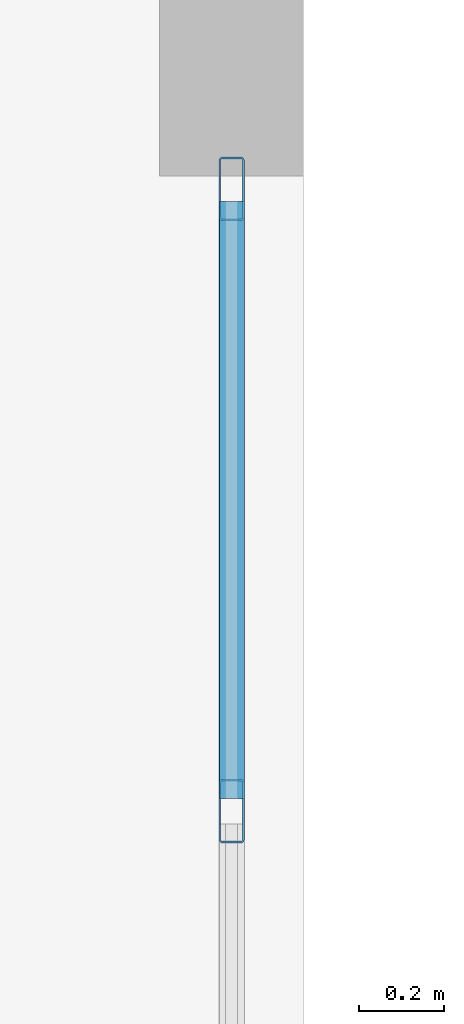
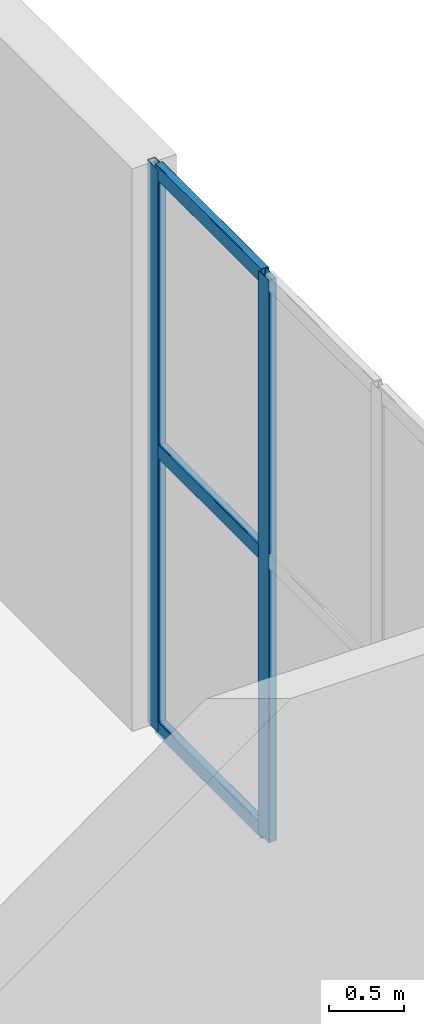
# One storey, part 5 of 16: 5 members, 1 element without a shape of its own.
"""IFC4 building model written with IfcOpenShell, lengths in metres."""

from ifc_helpers import new_model, entity, si_unit, converted_unit, direction, frame, origin_with_axes, origin_2d_with_axis, place, context, subcontext, project, spatial, hollow_rectangle, extrude, material, material_profile, profile_set, type_object, element, aggregate, save


model = new_model("IFC4")

# Units and contexts
model_context = context("Model", 3, precision=1e-05, world=origin_with_axes(), true_north=direction((0.0, 1.0)))
body_context = subcontext(model_context, "Body", "Model", "MODEL_VIEW")
ifc_project = project(units=[si_unit("LENGTHUNIT", "METRE"), si_unit("AREAUNIT", "SQUARE_METRE"), si_unit("VOLUMEUNIT", "CUBIC_METRE"), converted_unit("PLANEANGLEUNIT", "DEGREE", entity("IfcPlaneAngleMeasure", 0.017453292519943295), si_unit("PLANEANGLEUNIT", "RADIAN"), dimensions=[0, 0, 0, 0, 0, 0, 0]), si_unit("MASSUNIT", "GRAM", prefix="KILO"), si_unit("THERMODYNAMICTEMPERATUREUNIT", "KELVIN")], contexts=[model_context])

# Site, building, storey
site_placement = place(None, origin_with_axes())
site = spatial("IfcSite", under=ifc_project, at=site_placement, CompositionType="ELEMENT")
building_placement = place(site_placement, origin_with_axes())
building = spatial("IfcBuilding", under=site, at=building_placement, Name="Varnlund Millrace Tower", CompositionType="ELEMENT")
storey_placement = place(building_placement, frame((0.0, 0.0, 219.9), z_axis=(0.0, 0.0, 1.0), x_axis=(1.0, 0.0, 0.0)))
storey = spatial("IfcBuildingStorey", under=building, at=storey_placement, Name="L54", CompositionType="ELEMENT", Elevation=219.9)

# Curtain wall, members
ifc_material_1 = material(Name="Thermally broken architectural bronze curtain wall", Category="aluminium")
curtain_wall_type = type_object("IfcCurtainWallType", Name="Type-CW-Sys5-SkyLobby2Pool", PredefinedType="NOTDEFINED", material=ifc_material_1)
curtain_wall_placement = place(storey_placement, frame((32.23, 33.95, 0.0), z_axis=(0.0, 0.0, 1.0), x_axis=(1.0, 0.0, 0.0)))
curtain_wall = element("IfcCurtainWall", 1, at=curtain_wall_placement, inside=storey, type_object=curtain_wall_type, Name="Type-CW-Sys5-SkyLobby2Pool", PredefinedType="NOTDEFINED")
ifc_material_2 = material(Name="Architectural bronze aluminium alloy 6063-T6", Category="aluminium")
ifc_material_profile_1 = material_profile(ifc_material_2, hollow_rectangle(XDim=0.06, YDim=0.15, WallThickness=0.004, InnerFilletRadius=0.004, OuterFilletRadius=0.008, at=origin_2d_with_axis()), Name="Architectural bronze aluminium alloy 6063-T6")
ifc_profile_set_1 = profile_set([ifc_material_profile_1], Name="Architectural bronze aluminium alloy 6063-T6")
member_type_1 = type_object("IfcMemberType", Name="Type-CW-Mullion-60X150", PredefinedType="MULLION", material=ifc_profile_set_1)
member_1_placement = place(storey_placement, frame((32.23, 33.92, 0.0), z_axis=(0.0, 0.0, 1.0), x_axis=(1.0, 0.0, 0.0)))
member_1 = element("IfcMember", 2, at=member_1_placement, type_object=member_type_1, Name="CW-05 mullion 1", PredefinedType="MULLION", context=body_context, shape_type="SweptSolid", body=[
    extrude(hollow_rectangle(XDim=0.06, YDim=0.15, WallThickness=0.004, InnerFilletRadius=0.004, OuterFilletRadius=0.008, at=origin_2d_with_axis()), origin_with_axes(), (0.0, 0.0, 1.0), 4.56),
])
member_2_placement = place(storey_placement, frame((32.23, 32.45, 0.0), z_axis=(0.0, 0.0, 1.0), x_axis=(1.0, 0.0, 0.0)))
member_2 = element("IfcMember", 3, at=member_2_placement, type_object=member_type_1, Name="CW-05 mullion 2", PredefinedType="MULLION", context=body_context, shape_type="SweptSolid", body=[
    extrude(hollow_rectangle(XDim=0.06, YDim=0.15, WallThickness=0.004, InnerFilletRadius=0.004, OuterFilletRadius=0.008, at=origin_2d_with_axis()), origin_with_axes(), (0.0, 0.0, 1.0), 4.56),
])
ifc_material_profile_2 = material_profile(ifc_material_2, hollow_rectangle(XDim=0.06, YDim=0.12, WallThickness=0.004, InnerFilletRadius=0.004, OuterFilletRadius=0.008, at=origin_2d_with_axis()), Name="Architectural bronze aluminium alloy 6063-T6")
ifc_profile_set_2 = profile_set([ifc_material_profile_2], Name="Architectural bronze aluminium alloy 6063-T6")
member_type_2 = type_object("IfcMemberType", Name="Type-CW-Transom-60X120", PredefinedType="USERDEFINED", material=ifc_profile_set_2)
member_3_placement = place(storey_placement, frame((32.23, 33.89, 0.03), z_axis=(0.0, -1.0, 0.0), x_axis=(1.0, 0.0, 0.0)))
member_3 = element("IfcMember", 4, at=member_3_placement, type_object=member_type_2, Name="CW-05 transom 1.1", ObjectType="TRANSOM", PredefinedType="USERDEFINED", context=body_context, shape_type="SweptSolid", body=[
    extrude(hollow_rectangle(XDim=0.06, YDim=0.12, WallThickness=0.004, InnerFilletRadius=0.004, OuterFilletRadius=0.008, at=origin_2d_with_axis()), origin_with_axes(), (0.0, 0.0, 1.0), 1.41),
])
member_4_placement = place(storey_placement, frame((32.23, 33.89, 2.28), z_axis=(0.0, -1.0, 0.0), x_axis=(1.0, 0.0, 0.0)))
member_4 = element("IfcMember", 5, at=member_4_placement, type_object=member_type_2, Name="CW-05 transom 1.2", ObjectType="TRANSOM", PredefinedType="USERDEFINED", context=body_context, shape_type="SweptSolid", body=[
    extrude(hollow_rectangle(XDim=0.06, YDim=0.12, WallThickness=0.004, InnerFilletRadius=0.004, OuterFilletRadius=0.008, at=origin_2d_with_axis()), origin_with_axes(), (0.0, 0.0, 1.0), 1.41),
])
member_5_placement = place(storey_placement, frame((32.23, 33.89, 4.53), z_axis=(0.0, -1.0, 0.0), x_axis=(1.0, 0.0, 0.0)))
member_5 = element("IfcMember", 6, at=member_5_placement, type_object=member_type_2, Name="CW-05 transom 1.3", ObjectType="TRANSOM", PredefinedType="USERDEFINED", context=body_context, shape_type="SweptSolid", body=[
    extrude(hollow_rectangle(XDim=0.06, YDim=0.12, WallThickness=0.004, InnerFilletRadius=0.004, OuterFilletRadius=0.008, at=origin_2d_with_axis()), origin_with_axes(), (0.0, 0.0, 1.0), 1.41),
])
aggregate(curtain_wall, [member_1, member_2, member_3, member_4, member_5])

save(model, "model.ifc")
